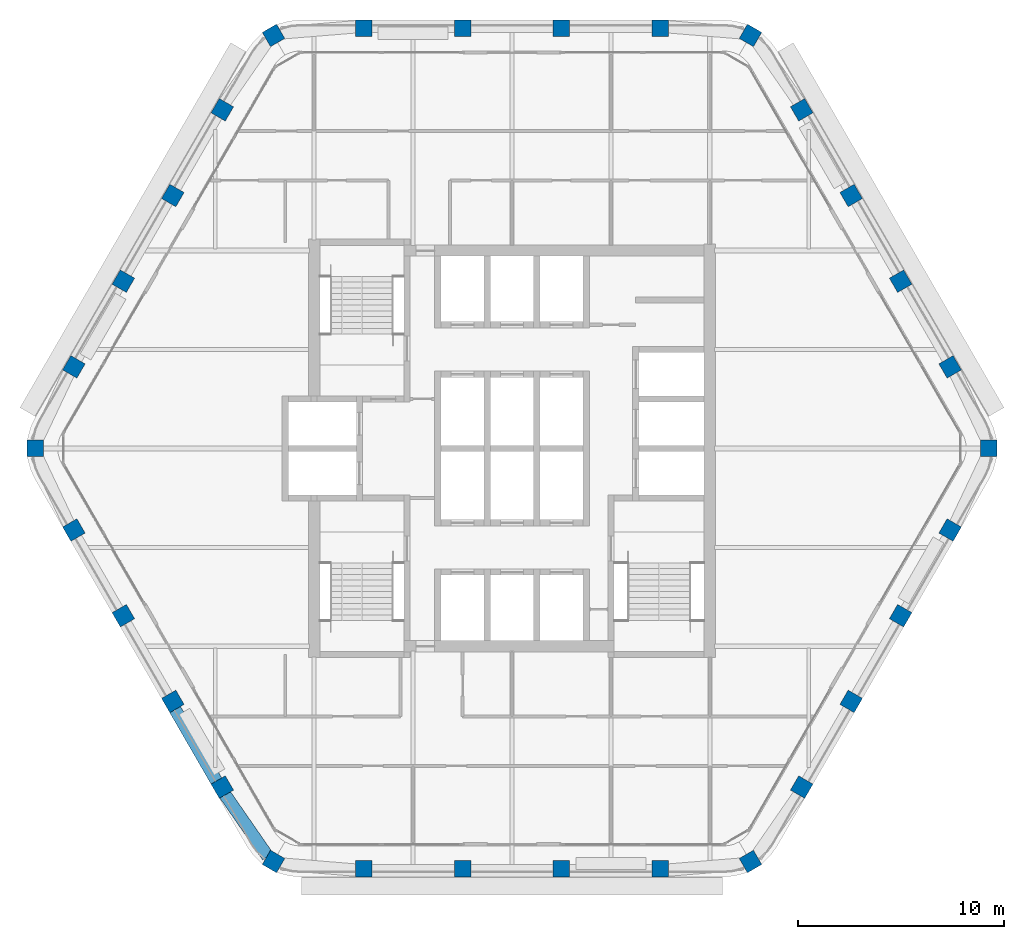
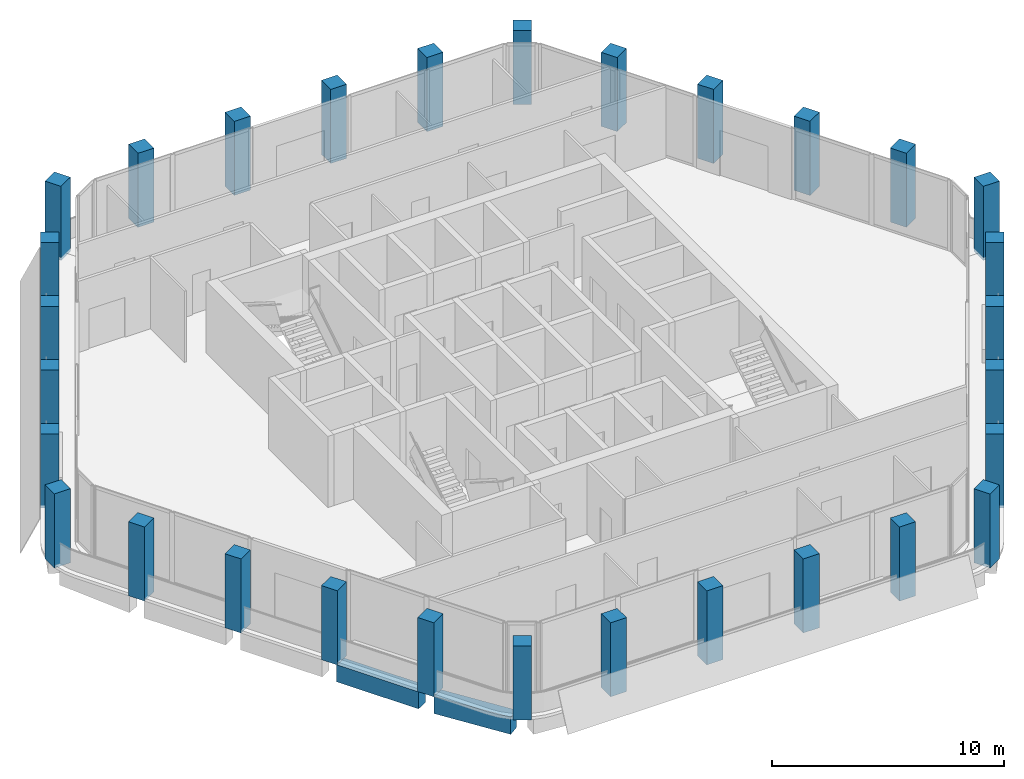
# One storey, part 1 of 13: 30 columns, 2 beams.
"""IFC4 building model written with IfcOpenShell, lengths in metres."""

from ifc_helpers import new_model, si_unit, direction, frame, origin, origin_2d, place, context, subcontext, project, spatial, rectangle, extrude, material, material_profile, profile_set, type_object, element, save


model = new_model("IFC4")

# Units and contexts
model_context = context("Model", 3, precision=1e-05, world=origin(), true_north=direction((0.0, 1.0)))
body_context = subcontext(model_context, "Body", "Model", "MODEL_VIEW")
ifc_project = project(units=[si_unit("LENGTHUNIT", "METRE"), si_unit("AREAUNIT", "SQUARE_METRE"), si_unit("VOLUMEUNIT", "CUBIC_METRE"), si_unit("PLANEANGLEUNIT", "RADIAN"), si_unit("MASSUNIT", "GRAM", prefix="KILO")], contexts=[model_context])

# Site, building, storey
site_placement = place(None, origin())
site = spatial("IfcSite", under=ifc_project, at=site_placement, CompositionType="ELEMENT")
building_placement = place(site_placement, origin())
building = spatial("IfcBuilding", under=site, at=building_placement, Name="Kolab Exchange Tower", CompositionType="ELEMENT")
storey_placement = place(building_placement, frame((0.0, 0.0, 289.10009765625)))
storey = spatial("IfcBuildingStorey", under=building, at=storey_placement, Name="L65", CompositionType="ELEMENT", Elevation=289.10009765625)

# Columns
ifc_material = material(Name="Concrete C50/60", Category="concrete")
ifc_material_profile_1 = material_profile(ifc_material, rectangle(XDim=0.800048828125, YDim=0.800048828125, at=origin_2d()), Name="RC800")
ifc_profile_set_1 = profile_set([ifc_material_profile_1], Name="Concrete C50/60")
column_type = type_object("IfcColumnType", Name="PERIMETER COLUMN 800 SQ C50/60", PredefinedType="COLUMN", material=ifc_profile_set_1)
for number, where, z_axis, x_axis, name in (
    (1, (-11.56787109375, 20.036376953125, -0.150146484375), (0.0, 0.0, 1.0), (0.866025403784, 0.5, 0.0), "col/L65/F1-01"),
    (2, (-7.199951171875, 20.384521484375, -0.150146484375), (0.0, 0.0, 1.0), (1.0, 0.0, 0.0), "col/L65/F1-02"),
    (3, (-2.39990234375, 20.384521484375, -0.150146484375), (0.0, 0.0, 1.0), (1.0, 0.0, 0.0), "col/L65/F1-03"),
    (4, (2.39990234375, 20.384521484375, -0.150146484375), (0.0, 0.0, 1.0), (1.0, 0.0, 0.0), "col/L65/F1-04"),
    (5, (7.199951171875, 20.384521484375, -0.150146484375), (0.0, 0.0, 1.0), (1.0, 0.0, 0.0), "col/L65/F1-05"),
    (6, (11.56787109375, 20.036376953125, -0.150146484375), (0.0, 0.0, 1.0), (0.5, 0.866025403784, 0.0), "col/L65/F2-01"),
    (7, (14.0537109375, 16.427734375, -0.150146484375), (0.0, 0.0, 1.0), (0.866025403784, 0.5, 0.0), "col/L65/F2-02"),
    (8, (16.45361328125, 12.270751953125, -0.150146484375), (0.0, 0.0, 1.0), (0.866025403784, 0.5, 0.0), "col/L65/F2-03"),
    (9, (18.853515625, 8.11376953125, -0.150146484375), (0.0, 0.0, 1.0), (0.866025403784, 0.5, 0.0), "col/L65/F2-04"),
    (10, (21.253662109375, 3.95703125, -0.150146484375), (0.0, 0.0, 1.0), (0.866025403784, 0.5, 0.0), "col/L65/F2-05"),
    (11, (23.135986328125, 0.0, -0.150146484375), (0.0, 0.0, 1.0), (1.0, 0.0, 0.0), "col/L65/F3-01"),
    (12, (21.253662109375, -3.95703125, -0.150146484375), (0.0, 0.0, 1.0), (0.5, 0.866025403784, 0.0), "col/L65/F3-02"),
    (13, (18.853515625, -8.11376953125, -0.150146484375), (0.0, 0.0, 1.0), (0.5, 0.866025403784, 0.0), "col/L65/F3-03"),
    (14, (16.45361328125, -12.270751953125, -0.150146484375), (0.0, 0.0, 1.0), (0.5, 0.866025403784, 0.0), "col/L65/F3-04"),
    (15, (14.0537109375, -16.427734375, -0.150146484375), (0.0, 0.0, 1.0), (0.5, 0.866025403784, 0.0), "col/L65/F3-05"),
    (16, (11.56787109375, -20.036376953125, -0.150146484375), (0.0, 0.0, 1.0), (0.866025403784, 0.5, 0.0), "col/L65/F4-01"),
    (17, (7.199951171875, -20.384521484375, -0.150146484375), (0.0, 0.0, 1.0), (1.0, 0.0, 0.0), "col/L65/F4-02"),
    (18, (2.39990234375, -20.384521484375, -0.150146484375), (0.0, 0.0, 1.0), (1.0, 0.0, 0.0), "col/L65/F4-03"),
    (19, (-2.39990234375, -20.384521484375, -0.150146484375), (0.0, 0.0, 1.0), (1.0, 0.0, 0.0), "col/L65/F4-04"),
    (20, (-7.199951171875, -20.384521484375, -0.150146484375), (0.0, 0.0, 1.0), (1.0, 0.0, 0.0), "col/L65/F4-05"),
    (21, (-11.56787109375, -20.036376953125, -0.150146484375), (0.0, 0.0, 1.0), (0.5, 0.866025403784, 0.0), "col/L65/F5-01"),
    (22, (-14.0537109375, -16.427734375, -0.150146484375), (0.0, 0.0, 1.0), (0.866025403784, 0.5, 0.0), "col/L65/F5-02"),
    (23, (-16.45361328125, -12.270751953125, -0.150146484375), (0.0, 0.0, 1.0), (0.866025403784, 0.5, 0.0), "col/L65/F5-03"),
    (24, (-18.853515625, -8.11376953125, -0.150146484375), (0.0, 0.0, 1.0), (0.866025403784, 0.5, 0.0), "col/L65/F5-04"),
    (25, (-21.253662109375, -3.95703125, -0.150146484375), (0.0, 0.0, 1.0), (0.866025403784, 0.5, 0.0), "col/L65/F5-05"),
    (26, (-23.135986328125, 0.0, -0.150146484375), (0.0, 0.0, 1.0), (1.0, 0.0, 0.0), "col/L65/F6-01"),
    (27, (-21.253662109375, 3.95703125, -0.150146484375), (0.0, 0.0, 1.0), (0.5, 0.866025403784, 0.0), "col/L65/F6-02"),
    (28, (-18.853515625, 8.11376953125, -0.150146484375), (0.0, 0.0, 1.0), (0.5, 0.866025403784, 0.0), "col/L65/F6-03"),
    (29, (-16.45361328125, 12.270751953125, -0.150146484375), (0.0, 0.0, 1.0), (0.5, 0.866025403784, 0.0), "col/L65/F6-04"),
    (30, (-14.0537109375, 16.427734375, -0.150146484375), (0.0, 0.0, 1.0), (0.5, 0.866025403784, 0.0), "col/L65/F6-05"),
):
    element("IfcColumn", number, at=place(storey_placement, frame(where, z_axis=z_axis, x_axis=x_axis)), inside=storey, type_object=column_type, Name=name, PredefinedType="COLUMN", context=body_context, shape_type="SweptSolid", body=[
        extrude(rectangle(XDim=0.800048828125, YDim=0.800048828125, at=origin_2d()), origin(), (0.0, 0.0, 1.0), 3.900146484375),
    ])

# Beams
ifc_material_profile_2 = material_profile(ifc_material, rectangle(XDim=0.60009765625, YDim=0.89990234375, at=origin_2d()), Name="RC600X900")
ifc_profile_set_2 = profile_set([ifc_material_profile_2], Name="Concrete C50/60")
beam_type = type_object("IfcBeamType", Name="SPANDREL BEAM 600X900 C50/60", PredefinedType="BEAM", material=ifc_profile_set_2)
beam_1_placement = place(storey_placement, frame((-11.846923828125, -19.7919921875, -0.60009765625), z_axis=(-0.569005808573, 0.822333502789, 0.0), x_axis=(-0.822333502789, -0.569005808573, 0.0)))
element("IfcBeam", 31, at=beam_1_placement, inside=storey, type_object=beam_type, Name="beam/L65/sp/F5-01", PredefinedType="BEAM", context=body_context, shape_type="SweptSolid", body=[
    extrude(rectangle(XDim=0.60009765625, YDim=0.89990234375, at=origin_2d()), origin(), (0.0, 0.0, 1.0), 3.6689453125),
])
beam_2_placement = place(storey_placement, frame((-14.3203125, -16.166015625, -0.60009765625), z_axis=(-0.499955548806, 0.866051066172, 0.0), x_axis=(-0.866051066172, -0.499955548806, 0.0)))
element("IfcBeam", 32, at=beam_2_placement, inside=storey, type_object=beam_type, Name="beam/L65/sp/F5-02", PredefinedType="BEAM", context=body_context, shape_type="SweptSolid", body=[
    extrude(rectangle(XDim=0.60009765625, YDim=0.89990234375, at=origin_2d()), origin(), (0.0, 0.0, 1.0), 4.079833984375),
])

save(model, "model.ifc")
